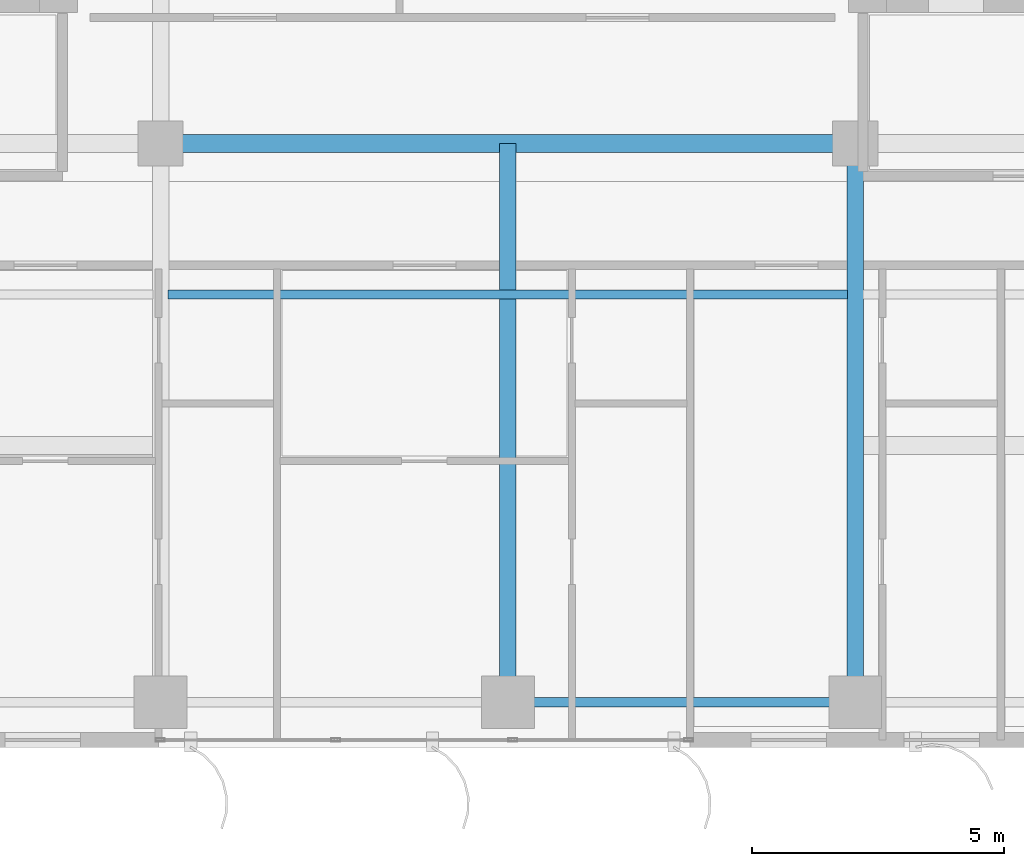
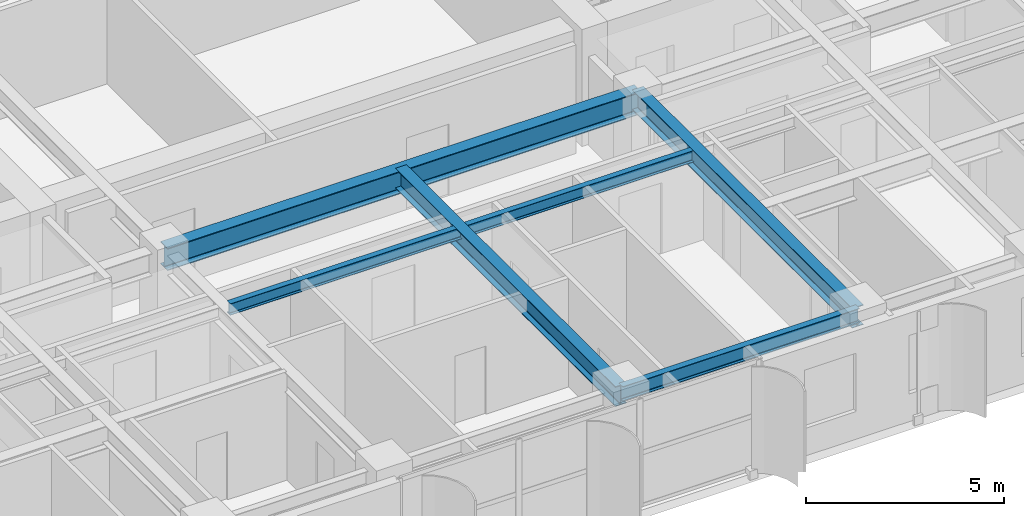
# One storey, part 3 of 22: 5 beams.
"""IFC4 building model written with IfcOpenShell, lengths in metres."""

from ifc_helpers import new_model, si_unit, direction, frame, origin, origin_2d, place, context, subcontext, project, spatial, i_section, extrude, source, transform, mapped, material, material_profile, profile_set, type_object, element, save


model = new_model("IFC4")

# Units and contexts
model_context = context("Model", 3, precision=1e-05, world=origin(), true_north=direction((0.0, 1.0)))
body_context = subcontext(model_context, "Body", "Model", "MODEL_VIEW")
ifc_project = project(units=[si_unit("LENGTHUNIT", "METRE"), si_unit("AREAUNIT", "SQUARE_METRE"), si_unit("VOLUMEUNIT", "CUBIC_METRE"), si_unit("PLANEANGLEUNIT", "RADIAN"), si_unit("MASSUNIT", "GRAM", prefix="KILO")], contexts=[model_context])

# Site, building, storey
site_placement = place(None, origin())
site = spatial("IfcSite", under=ifc_project, at=site_placement, CompositionType="ELEMENT")
building_placement = place(site_placement, origin())
building = spatial("IfcBuilding", under=site, at=building_placement, Name="Khoralis Quay Care Tower", CompositionType="ELEMENT")
storey_placement = place(building_placement, frame((0.0, 0.0, 98.10009765625)))
storey = spatial("IfcBuildingStorey", under=building, at=storey_placement, Name="L25", CompositionType="ELEMENT", Elevation=98.10009765625)

# Beams
ifc_material = material(Name="Steel S355", Category="steel")
ifc_material_profile_1 = material_profile(ifc_material, i_section(OverallWidth=0.18994140625, OverallDepth=0.449951171875, WebThickness=0.009521484375, FlangeThickness=0.0146484375, FilletRadius=0.02099609375, at=origin_2d()), Name="Steel S355")
ifc_profile_set_1 = profile_set([ifc_material_profile_1], Name="Steel S355")
beam_type_1 = type_object("IfcBeamType", Name="BM-IPE450", PredefinedType="SPANDREL", material=ifc_profile_set_1)
shared_shape_1 = source(origin(), body_context, "Body", "SweptSolid", [
    extrude(i_section(OverallWidth=0.18994140625, OverallDepth=0.449951171875, WebThickness=0.009521484375, FlangeThickness=0.0146484375, FilletRadius=0.02099609375, at=origin_2d()), origin(), (0.0, 0.0, 1.0), 6.89990234375),
])
beam_1_placement = place(storey_placement, frame((24.0, 0.89990234375, 3.114990234375), z_axis=(1.0, 0.0, 0.0), x_axis=(0.0, 1.0, 0.0)))
element("IfcBeam", 1, at=beam_1_placement, inside=storey, type_object=beam_type_1, Name="BM-TSP-L25-04", PredefinedType="SPANDREL", context=body_context, shape_type="MappedRepresentation", body=[
    mapped(shared_shape_1, transform((0.0, 0.0, 0.0), scale=1.0)),
])
ifc_material_profile_2 = material_profile(ifc_material, i_section(OverallWidth=0.35498046875, OverallDepth=0.695068359375, WebThickness=0.015380859375, FlangeThickness=0.02490234375, FilletRadius=0.02001953125, at=origin_2d()), Name="Steel S355")
ifc_profile_set_2 = profile_set([ifc_material_profile_2], Name="Steel S355")
beam_type_2 = type_object("IfcBeamType", Name="BM-W690X217", PredefinedType="BEAM", material=ifc_profile_set_2)
shared_shape_2 = source(origin(), body_context, "Body", "SweptSolid", [
    extrude(i_section(OverallWidth=0.35498046875, OverallDepth=0.695068359375, WebThickness=0.015380859375, FlangeThickness=0.02490234375, FilletRadius=0.02001953125, at=origin_2d()), origin(), (0.0, 0.0, 1.0), 13.7998046875),
])
beam_2_placement = place(storey_placement, frame((17.10009765625, 12.0, 2.992431640625), z_axis=(1.0, 0.0, 0.0), x_axis=(0.0, 1.0, 0.0)))
element("IfcBeam", 2, at=beam_2_placement, inside=storey, type_object=beam_type_2, Name="BM-TGCC-L25-120", PredefinedType="BEAM", context=body_context, shape_type="MappedRepresentation", body=[
    mapped(shared_shape_2, transform((0.0, 0.0, 0.0), scale=1.0)),
])
ifc_material_profile_3 = material_profile(ifc_material, i_section(OverallWidth=0.324951171875, OverallDepth=0.615966796875, WebThickness=0.013916015625, FlangeThickness=0.021484375, FilletRadius=0.01806640625, at=origin_2d()), Name="Steel S355")
ifc_profile_set_3 = profile_set([ifc_material_profile_3], Name="Steel S355")
beam_type_3 = type_object("IfcBeamType", Name="BM-W610X174", PredefinedType="BEAM", material=ifc_profile_set_3)
shared_shape_3 = source(origin(), body_context, "Body", "SweptSolid", [
    extrude(i_section(OverallWidth=0.324951171875, OverallDepth=0.615966796875, WebThickness=0.013916015625, FlangeThickness=0.021484375, FilletRadius=0.01806640625, at=origin_2d()), origin(), (0.0, 0.0, 1.0), 11.10009765625),
])
for number, where, z_axis, x_axis, name in (
    (3, (24.0, 0.89990234375, 3.031982421875), (0.0, 1.0, 0.0), (-1.0, 0.0, 0.0), "BM-TGYS-L25-240"),
    (4, (30.89990234375, 0.89990234375, 3.031982421875), (0.0, 1.0, 0.0), (-1.0, 0.0, 0.0), "BM-TGYS-L25-309"),
):
    element("IfcBeam", number, at=place(storey_placement, frame(where, z_axis=z_axis, x_axis=x_axis)), inside=storey, type_object=beam_type_3, Name=name, PredefinedType="BEAM", context=body_context, shape_type="MappedRepresentation", body=[
        mapped(shared_shape_3, transform((0.0, 0.0, 0.0), scale=1.0)),
    ])
ifc_material_profile_4 = material_profile(ifc_material, i_section(OverallWidth=0.1708984375, OverallDepth=0.35498046875, WebThickness=0.007080078125, FlangeThickness=0.01171875, FilletRadius=0.012939453125, at=origin_2d()), Name="Steel S355")
ifc_profile_set_4 = profile_set([ifc_material_profile_4], Name="Steel S355")
beam_type_4 = type_object("IfcBeamType", Name="BM-W360X51", PredefinedType="JOIST", material=ifc_profile_set_4)
shared_shape_4 = source(origin(), body_context, "Body", "SweptSolid", [
    extrude(i_section(OverallWidth=0.1708984375, OverallDepth=0.35498046875, WebThickness=0.007080078125, FlangeThickness=0.01171875, FilletRadius=0.012939453125, at=origin_2d()), origin(), (0.0, 0.0, 1.0), 13.4990234375),
])
beam_3_placement = place(storey_placement, frame((17.25048828125, 9.0, 3.162353515625), z_axis=(1.0, 0.0, 0.0), x_axis=(0.0, 1.0, 0.0)))
element("IfcBeam", 5, at=beam_3_placement, inside=storey, type_object=beam_type_4, Name="BM-TJS-L25-27", PredefinedType="JOIST", context=body_context, shape_type="MappedRepresentation", body=[
    mapped(shared_shape_4, transform((0.0, 0.0, 0.0), scale=1.0)),
])

save(model, "model.ifc")
